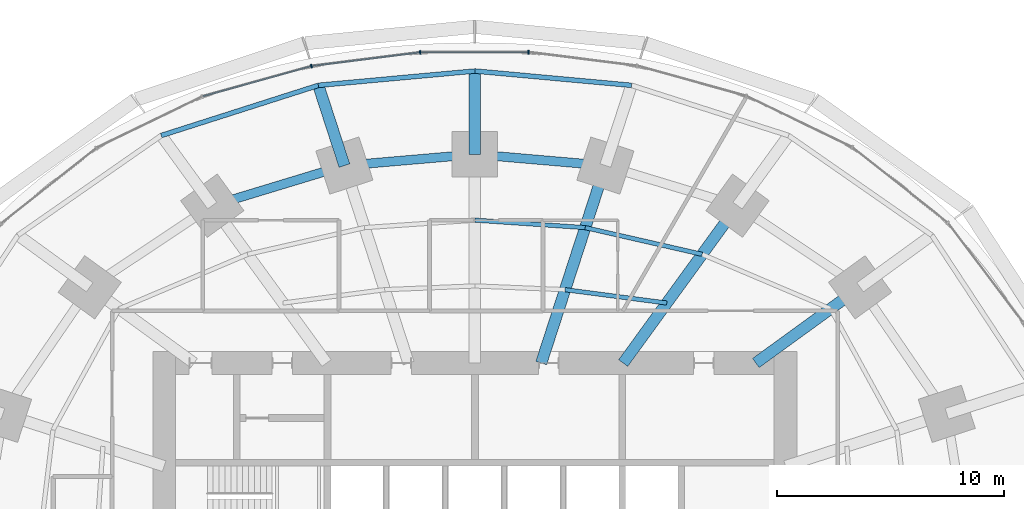
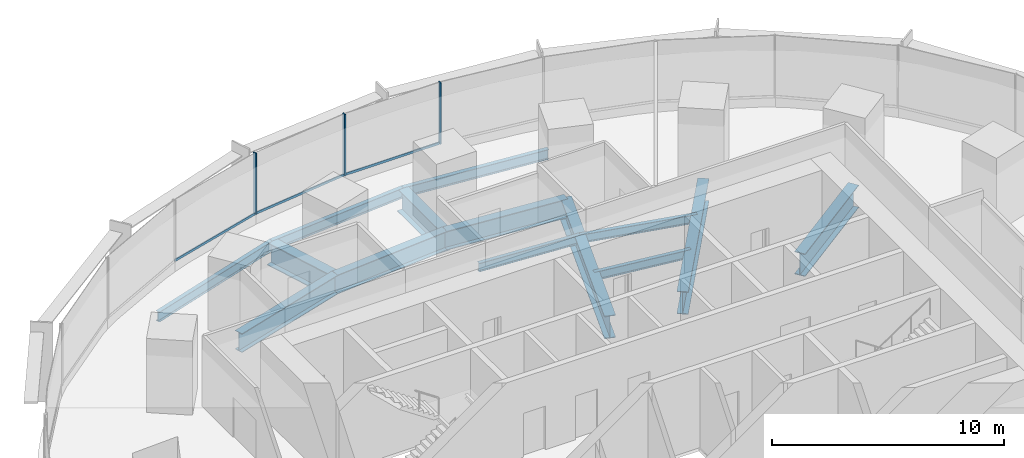
# One storey, part 8 of 15: 14 beams, 6 members, 1 element without a shape of its own.
"""IFC4 building model written with IfcOpenShell, lengths in metres."""

from ifc_helpers import new_model, si_unit, direction, frame, origin, origin_2d, place, context, subcontext, project, spatial, rectangle, i_section, extrude, material, material_profile, profile_set, type_object, element, aggregate, save


model = new_model("IFC4")

# Units and contexts
model_context = context("Model", 3, precision=1e-05, world=origin(), true_north=direction((0.0, 1.0)))
body_context = subcontext(model_context, "Body", "Model", "MODEL_VIEW")
ifc_project = project(units=[si_unit("LENGTHUNIT", "METRE"), si_unit("AREAUNIT", "SQUARE_METRE"), si_unit("VOLUMEUNIT", "CUBIC_METRE"), si_unit("PLANEANGLEUNIT", "RADIAN"), si_unit("MASSUNIT", "GRAM", prefix="KILO")], contexts=[model_context])

# Site, building, storey
site_placement = place(None, origin())
site = spatial("IfcSite", under=ifc_project, at=site_placement, CompositionType="ELEMENT")
building_placement = place(site_placement, origin())
building = spatial("IfcBuilding", under=site, at=building_placement, Name="Marramba Exchange Tower", CompositionType="ELEMENT")
storey_placement = place(building_placement, frame((0.0, 0.0, 53.199951171875)))
storey = spatial("IfcBuildingStorey", under=building, at=storey_placement, Name="L12", CompositionType="ELEMENT", Elevation=53.199951171875)

# Beams
ifc_material_1 = material(Name="Steel AS/NZS 3679.2 grade 300", Category="steel")
ifc_material_profile_1 = material_profile(ifc_material_1, i_section(OverallWidth=0.5, OverallDepth=1.199951171875, WebThickness=0.01611328125, FlangeThickness=0.0400390625, at=origin_2d()), Name="1200WB455")
ifc_profile_set_1 = profile_set([ifc_material_profile_1], Name="Steel AS/NZS 3679.2 grade 300")
beam_type_1 = type_object("IfcBeamType", Name="Cantilever girder 1200WB455", PredefinedType="BEAM", material=ifc_profile_set_1)
beam_1_placement = place(storey_placement, frame((0.0, 18.2041015625, -0.760009765625), z_axis=(0.0, 1.0, 0.0), x_axis=(-1.0, 0.0, 0.0)))
element("IfcBeam", 1, at=beam_1_placement, inside=storey, type_object=beam_type_1, Name="Cantilever girder L12 TC06", PredefinedType="BEAM", context=body_context, shape_type="SweptSolid", body=[
    extrude(i_section(OverallWidth=0.5, OverallDepth=1.199951171875, WebThickness=0.01611328125, FlangeThickness=0.0400390625, at=origin_2d()), origin(), (0.0, 0.0, 1.0), 3.673828125),
])
beam_2_placement = place(storey_placement, frame((-5.75390625, 17.70849609375, -0.760009765625), z_axis=(-0.308973290646, 0.951070715387, 0.0), x_axis=(-0.951070715387, -0.308973290646, 0.0)))
element("IfcBeam", 2, at=beam_2_placement, inside=storey, type_object=beam_type_1, Name="Cantilever girder L12 TC07", PredefinedType="BEAM", context=body_context, shape_type="SweptSolid", body=[
    extrude(i_section(OverallWidth=0.5, OverallDepth=1.199951171875, WebThickness=0.01611328125, FlangeThickness=0.0400390625, at=origin_2d()), origin(), (0.0, 0.0, 1.0), 3.72021484375),
])
ifc_material_2 = material(Name="Steel AS/NZS 3679.1 grade 300", Category="steel")
ifc_material_profile_2 = material_profile(ifc_material_2, i_section(OverallWidth=0.18994140625, OverallDepth=0.4541015625, WebThickness=0.008544921875, FlangeThickness=0.0126953125, FilletRadius=0.011474609375, at=origin_2d()), Name="460UB67.1")
ifc_profile_set_2 = profile_set([ifc_material_profile_2], Name="Steel AS/NZS 3679.1 grade 300")
beam_type_2 = type_object("IfcBeamType", Name="Floor joist 460UB67.1", PredefinedType="JOIST", material=ifc_profile_set_2)
beam_3_placement = place(storey_placement, frame((8.4619140625, 11.646728515625, -0.386962890625), z_axis=(-0.991480538255, 0.130254912618, 0.0), x_axis=(-0.130254912618, -0.991480538255, 0.0)))
element("IfcBeam", 3, at=beam_3_placement, inside=storey, type_object=beam_type_2, Name="Joist L12 bay 04 row 1", PredefinedType="JOIST", context=body_context, shape_type="SweptSolid", body=[
    extrude(i_section(OverallWidth=0.18994140625, OverallDepth=0.4541015625, WebThickness=0.008544921875, FlangeThickness=0.0126953125, FilletRadius=0.011474609375, at=origin_2d()), origin(), (0.0, 0.0, 1.0), 4.524658203125),
])
beam_4_placement = place(storey_placement, frame((10.021728515625, 13.793701171875, -0.386962890625), z_axis=(-0.974859652292, 0.222819788916, 0.0), x_axis=(-0.222819788916, -0.974859652292, 0.0)))
element("IfcBeam", 4, at=beam_4_placement, inside=storey, type_object=beam_type_2, Name="Joist L12 bay 04 row 2", PredefinedType="JOIST", context=body_context, shape_type="SweptSolid", body=[
    extrude(i_section(OverallWidth=0.18994140625, OverallDepth=0.4541015625, WebThickness=0.008544921875, FlangeThickness=0.0126953125, FilletRadius=0.011474609375, at=origin_2d()), origin(), (0.0, 0.0, 1.0), 5.2900390625),
])
beam_5_placement = place(storey_placement, frame((4.86474609375, 14.972412109375, -0.386962890625), z_axis=(-0.997702652202, 0.067745241816, 0.0), x_axis=(-0.067745241816, -0.997702652202, 0.0)))
element("IfcBeam", 5, at=beam_5_placement, inside=storey, type_object=beam_type_2, Name="Joist L12 bay 05 row 2", PredefinedType="JOIST", context=body_context, shape_type="SweptSolid", body=[
    extrude(i_section(OverallWidth=0.18994140625, OverallDepth=0.4541015625, WebThickness=0.008544921875, FlangeThickness=0.0126953125, FilletRadius=0.011474609375, at=origin_2d()), origin(), (0.0, 0.0, 1.0), 4.8759765625),
])
ifc_material_profile_3 = material_profile(ifc_material_1, i_section(OverallWidth=0.5, OverallDepth=1.199951171875, WebThickness=0.01611328125, FlangeThickness=0.0400390625, at=origin_2d()), Name="1200WB455")
ifc_profile_set_3 = profile_set([ifc_material_profile_3], Name="Steel AS/NZS 3679.2 grade 300")
beam_type_3 = type_object("IfcBeamType", Name="Radial girder 1200WB455", PredefinedType="BEAM", material=ifc_profile_set_3)
beam_6_placement = place(storey_placement, frame((12.387451171875, 9.0, -0.760009765625), z_axis=(0.809025746925, 0.587773205252, 0.0), x_axis=(-0.587773205252, 0.809025746925, 0.0)))
element("IfcBeam", 6, at=beam_6_placement, inside=storey, type_object=beam_type_3, Name="Radial girder L12 TC03", PredefinedType="BEAM", context=body_context, shape_type="SweptSolid", body=[
    extrude(i_section(OverallWidth=0.5, OverallDepth=1.199951171875, WebThickness=0.01611328125, FlangeThickness=0.0400390625, at=origin_2d()), origin(), (0.0, 0.0, 1.0), 5.683837890625),
])
beam_7_placement = place(storey_placement, frame((6.538818359375, 9.0, -0.760009765625), z_axis=(0.587782439969, 0.80901903764, 0.0), x_axis=(-0.80901903764, 0.587782439969, 0.0)))
element("IfcBeam", 7, at=beam_7_placement, inside=storey, type_object=beam_type_3, Name="Radial girder L12 TC04", PredefinedType="BEAM", context=body_context, shape_type="SweptSolid", body=[
    extrude(i_section(OverallWidth=0.5, OverallDepth=1.199951171875, WebThickness=0.01611328125, FlangeThickness=0.0400390625, at=origin_2d()), origin(), (0.0, 0.0, 1.0), 8.578857421875),
])
beam_8_placement = place(storey_placement, frame((2.92431640625, 9.0, -0.760009765625), z_axis=(0.309019754162, 0.951055619582, 0.0), x_axis=(-0.951055619582, 0.309019754162, 0.0)))
element("IfcBeam", 8, at=beam_8_placement, inside=storey, type_object=beam_type_3, Name="Radial girder L12 TC05", PredefinedType="BEAM", context=body_context, shape_type="SweptSolid", body=[
    extrude(i_section(OverallWidth=0.5, OverallDepth=1.199951171875, WebThickness=0.01611328125, FlangeThickness=0.0400390625, at=origin_2d()), origin(), (0.0, 0.0, 1.0), 9.15673828125),
])
ifc_material_profile_4 = material_profile(ifc_material_1, i_section(OverallWidth=0.39990234375, OverallDepth=1.0, WebThickness=0.01611328125, FlangeThickness=0.031982421875, at=origin_2d()), Name="1000WB322")
ifc_profile_set_4 = profile_set([ifc_material_profile_4], Name="Steel AS/NZS 3679.2 grade 300")
beam_type_4 = type_object("IfcBeamType", Name="Ring beam 1000WB322", PredefinedType="SPANDREL", material=ifc_profile_set_4)
for number, where, z_axis, x_axis, name in (
    (9, (5.75390625, 17.70849609375, -0.659912109375), (-0.996311003275, 0.085815993578, 0.0), (-0.085815993578, -0.996311003275, 0.0), "Ring beam L12 TC05-TC06"),
    (10, (0.0, 18.2041015625, -0.659912109375), (-0.996311003275, -0.085815993578, 0.0), (0.085815993578, -0.996311003275, 0.0), "Ring beam L12 TC06-TC07"),
):
    element("IfcBeam", number, at=place(storey_placement, frame(where, z_axis=z_axis, x_axis=x_axis)), inside=storey, type_object=beam_type_4, Name=name, PredefinedType="SPANDREL", context=body_context, shape_type="SweptSolid", body=[
        extrude(i_section(OverallWidth=0.39990234375, OverallDepth=1.0, WebThickness=0.01611328125, FlangeThickness=0.031982421875, at=origin_2d()), origin(), (0.0, 0.0, 1.0), 5.775146484375),
    ])
beam_9_placement = place(storey_placement, frame((-5.75390625, 17.70849609375, -0.659912109375), z_axis=(-0.956924542524, -0.290336735387, 0.0), x_axis=(0.290336735387, -0.956924542524, 0.0)))
element("IfcBeam", 11, at=beam_9_placement, inside=storey, type_object=beam_type_4, Name="Ring beam L12 TC07-TC08", PredefinedType="SPANDREL", context=body_context, shape_type="SweptSolid", body=[
    extrude(i_section(OverallWidth=0.39990234375, OverallDepth=1.0, WebThickness=0.01611328125, FlangeThickness=0.031982421875, at=origin_2d()), origin(), (0.0, 0.0, 1.0), 6.089599609375),
])
ifc_material_profile_5 = material_profile(ifc_material_2, i_section(OverallWidth=0.208984375, OverallDepth=0.528076171875, WebThickness=0.009521484375, FlangeThickness=0.01318359375, FilletRadius=0.013916015625, at=origin_2d()), Name="530UB82.0")
ifc_profile_set_5 = profile_set([ifc_material_profile_5], Name="Steel AS/NZS 3679.1 grade 300")
beam_type_5 = type_object("IfcBeamType", Name="Slab edge beam 530UB82.0", PredefinedType="SPANDREL", material=ifc_profile_set_5)
for number, where, z_axis, x_axis, name in (
    (12, (6.9033203125, 21.24658203125, -0.424072265625), (-0.995843984921, 0.091075560369, 0.0), (-0.091075560369, -0.995843984921, 0.0), "Slab edge beam L12 TC05-TC06"),
    (13, (0.0, 21.8779296875, -0.424072265625), (-0.995843984921, -0.091075560369, 0.0), (0.091075560369, -0.995843984921, 0.0), "Slab edge beam L12 TC06-TC07"),
):
    element("IfcBeam", number, at=place(storey_placement, frame(where, z_axis=z_axis, x_axis=x_axis)), inside=storey, type_object=beam_type_5, Name=name, PredefinedType="SPANDREL", context=body_context, shape_type="SweptSolid", body=[
        extrude(i_section(OverallWidth=0.208984375, OverallDepth=0.528076171875, WebThickness=0.009521484375, FlangeThickness=0.01318359375, FilletRadius=0.013916015625, at=origin_2d()), origin(), (0.0, 0.0, 1.0), 6.93212890625),
    ])
beam_10_placement = place(storey_placement, frame((-6.9033203125, 21.24658203125, -0.424072265625), z_axis=(-0.952577642997, -0.304295635957, 0.0), x_axis=(0.304295635957, -0.952577642997, 0.0)))
element("IfcBeam", 14, at=beam_10_placement, inside=storey, type_object=beam_type_5, Name="Slab edge beam L12 TC07-TC08", PredefinedType="SPANDREL", context=body_context, shape_type="SweptSolid", body=[
    extrude(i_section(OverallWidth=0.208984375, OverallDepth=0.528076171875, WebThickness=0.009521484375, FlangeThickness=0.01318359375, FilletRadius=0.013916015625, at=origin_2d()), origin(), (0.0, 0.0, 1.0), 7.2705078125),
])

# Curtain wall, members
ifc_material_3 = material(Name="Aluminium framing, bronze anodised", Category="aluminium")
curtain_wall_type = type_object("IfcCurtainWallType", Name="Trading floor ribbon curtain wall", PredefinedType="USERDEFINED", material=ifc_material_3)
curtain_wall_placement = place(storey_placement, origin())
curtain_wall = element("IfcCurtainWall", 15, at=curtain_wall_placement, inside=storey, type_object=curtain_wall_type, Name="Curtain wall CW3 L12 F06-F10", ObjectType="RIBBON CURTAIN WALL", PredefinedType="USERDEFINED")
ifc_material_4 = material(Name="Aluminium mullion, bronze anodised", Category="aluminium")
ifc_material_profile_6 = material_profile(ifc_material_4, rectangle(XDim=0.159912109375, YDim=0.06005859375, at=origin_2d()), Name="CW3 mullion 60x160")
ifc_profile_set_6 = profile_set([ifc_material_profile_6], Name="Aluminium mullion, bronze anodised")
member_type_1 = type_object("IfcMemberType", Name="Trading floor ribbon curtain wall mullion", PredefinedType="MULLION", material=ifc_profile_set_6)
member_1_placement = place(storey_placement, frame((2.3564453125, 22.7060546875, 0.800048828125), z_axis=(0.0, 0.0, 1.0), x_axis=(0.0, -1.0, 0.0)))
member_1 = element("IfcMember", 16, at=member_1_placement, type_object=member_type_1, Name="CW3 mullion 1", PredefinedType="MULLION", context=body_context, shape_type="SweptSolid", body=[
    extrude(rectangle(XDim=0.159912109375, YDim=0.06005859375, at=origin_2d()), origin(), (0.0, 0.0, 1.0), 3.239990234375),
])
member_2_placement = place(storey_placement, frame((-2.416259765625, 22.7021484375, 0.800048828125), z_axis=(0.0, 0.0, 1.0), x_axis=(0.124872723099, -0.992172768738, 0.0)))
member_2 = element("IfcMember", 17, at=member_2_placement, type_object=member_type_1, Name="CW3 mullion 1", PredefinedType="MULLION", context=body_context, shape_type="SweptSolid", body=[
    extrude(rectangle(XDim=0.159912109375, YDim=0.06005859375, at=origin_2d()), origin(), (0.0, 0.0, 1.0), 3.239990234375),
])
member_3_placement = place(storey_placement, frame((-7.21044921875, 22.094482421875, 0.800048828125), z_axis=(0.0, 0.0, 1.0), x_axis=(0.267808735815, -0.963472096649, 0.0)))
member_3 = element("IfcMember", 18, at=member_3_placement, type_object=member_type_1, Name="CW3 mullion 1", PredefinedType="MULLION", context=body_context, shape_type="SweptSolid", body=[
    extrude(rectangle(XDim=0.159912109375, YDim=0.06005859375, at=origin_2d()), origin(), (0.0, 0.0, 1.0), 3.239990234375),
])
ifc_material_5 = material(Name="Aluminium transom, bronze anodised", Category="aluminium")
ifc_material_profile_7 = material_profile(ifc_material_5, rectangle(XDim=0.06005859375, YDim=0.1201171875, at=origin_2d()), Name="CW3 transom 60x120")
ifc_profile_set_7 = profile_set([ifc_material_profile_7], Name="Aluminium transom, bronze anodised")
member_type_2 = type_object("IfcMemberType", Name="Trading floor ribbon curtain wall transom", PredefinedType="USERDEFINED", material=ifc_profile_set_7)
member_4_placement = place(storey_placement, frame((2.326416015625, 22.7060546875, 0.830078125), z_axis=(-1.0, 0.0, 0.0), x_axis=(0.0, -1.0, 0.0)))
member_4 = element("IfcMember", 19, at=member_4_placement, type_object=member_type_2, Name="CW3 sill transom", ObjectType="TRANSOM", PredefinedType="USERDEFINED", context=body_context, shape_type="SweptSolid", body=[
    extrude(rectangle(XDim=0.06005859375, YDim=0.1201171875, at=origin_2d()), origin(), (0.0, 0.0, 1.0), 4.712890625),
])
member_5_placement = place(storey_placement, frame((-2.446044921875, 22.698486328125, 0.830078125), z_axis=(-0.992174445211, -0.124859402009, 0.0), x_axis=(0.124859402009, -0.992174445211, 0.0)))
member_5 = element("IfcMember", 20, at=member_5_placement, type_object=member_type_2, Name="CW3 sill transom", ObjectType="TRANSOM", PredefinedType="USERDEFINED", context=body_context, shape_type="SweptSolid", body=[
    extrude(rectangle(XDim=0.06005859375, YDim=0.1201171875, at=origin_2d()), origin(), (0.0, 0.0, 1.0), 4.77294921875),
])
member_6_placement = place(storey_placement, frame((-7.2392578125, 22.08642578125, 0.830078125), z_axis=(-0.963472490071, -0.267807320431, 0.0), x_axis=(0.267807320431, -0.963472490071, 0.0)))
member_6 = element("IfcMember", 21, at=member_6_placement, type_object=member_type_2, Name="CW3 sill transom", ObjectType="TRANSOM", PredefinedType="USERDEFINED", context=body_context, shape_type="SweptSolid", body=[
    extrude(rectangle(XDim=0.06005859375, YDim=0.1201171875, at=origin_2d()), origin(), (0.0, 0.0, 1.0), 4.93017578125),
])
aggregate(curtain_wall, [member_1, member_4, member_2, member_5, member_3, member_6])

save(model, "model.ifc")
